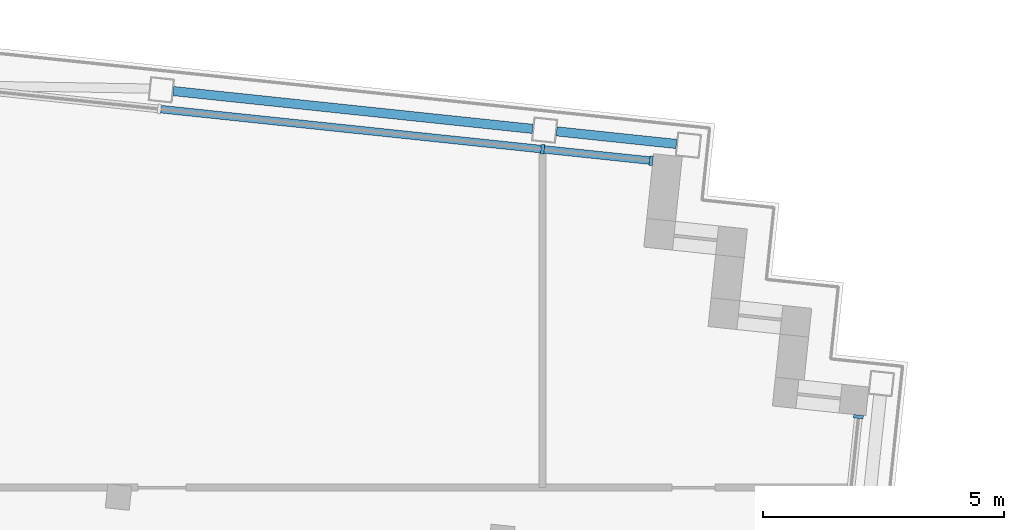
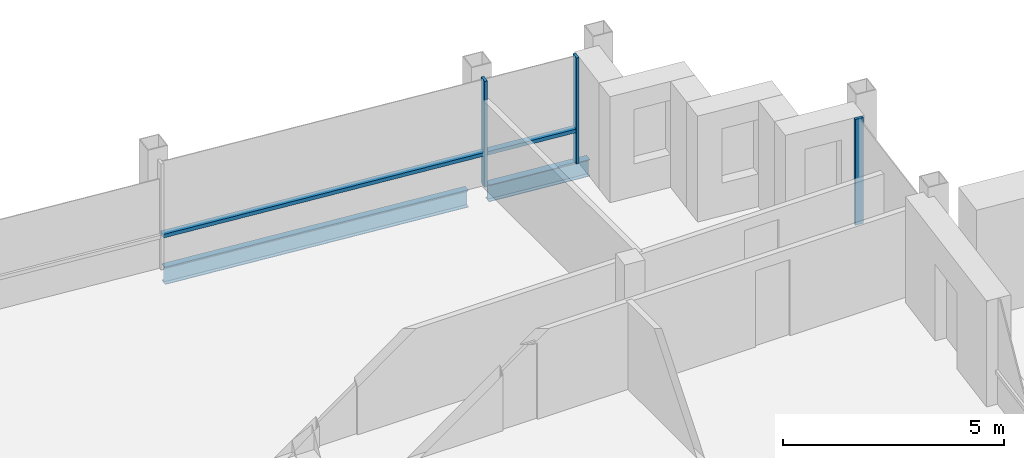
# One storey, part 6 of 16: 5 members, 2 beams, 2 elements without a shape of their own.
"""IFC4 building model written with IfcOpenShell, lengths in metres."""

from ifc_helpers import new_model, si_unit, direction, frame, origin, origin_2d, place, context, subcontext, project, spatial, rectangle, i_section, extrude, material, material_profile, profile_set, type_object, element, aggregate, save


model = new_model("IFC4")

# Units and contexts
model_context = context("Model", 3, precision=1e-05, world=origin(), true_north=direction((0.0, 1.0)))
body_context = subcontext(model_context, "Body", "Model", "MODEL_VIEW")
ifc_project = project(units=[si_unit("LENGTHUNIT", "METRE"), si_unit("AREAUNIT", "SQUARE_METRE"), si_unit("VOLUMEUNIT", "CUBIC_METRE"), si_unit("PLANEANGLEUNIT", "RADIAN"), si_unit("MASSUNIT", "GRAM", prefix="KILO")], contexts=[model_context])

# Site, building, storey
site_placement = place(None, origin())
site = spatial("IfcSite", under=ifc_project, at=site_placement, CompositionType="ELEMENT")
building_placement = place(site_placement, origin())
building = spatial("IfcBuilding", under=site, at=building_placement, Name="Vidyagriha Tower", CompositionType="ELEMENT")
storey_placement = place(building_placement, frame((0.0, 0.0, 272.300048828125)))
storey = spatial("IfcBuildingStorey", under=building, at=storey_placement, Name="L71", CompositionType="ELEMENT", Elevation=272.300048828125)

# Beams
ifc_material_1 = material(Name="Steel ASTM A992 Grade 50", Category="steel")
ifc_material_profile_1 = material_profile(ifc_material_1, i_section(OverallWidth=0.19189453125, OverallDepth=0.46240234375, WebThickness=0.010498046875, FlangeThickness=0.017578125, at=origin_2d()), Name="W18X60")
ifc_profile_set_1 = profile_set([ifc_material_profile_1], Name="Steel ASTM A992 Grade 50")
beam_type = type_object("IfcBeamType", Name="Edge beam W18X60", PredefinedType="SPANDREL", material=ifc_profile_set_1)
beam_1_placement = place(storey_placement, frame((18.130615234375, 19.472412109375, -0.51123046875), z_axis=(0.994519000353, -0.104556003834, 0.0), x_axis=(0.104556003834, 0.994519000353, 0.0)))
element("IfcBeam", 1, at=beam_1_placement, inside=storey, type_object=beam_type, Name="st-beam-L71-NE19", PredefinedType="SPANDREL", context=body_context, shape_type="SweptSolid", body=[
    extrude(i_section(OverallWidth=0.19189453125, OverallDepth=0.46240234375, WebThickness=0.010498046875, FlangeThickness=0.017578125, at=origin_2d()), origin(), (0.0, 0.0, 1.0), 7.5),
])
beam_2_placement = place(storey_placement, frame((26.0869140625, 18.635986328125, -0.51123046875), z_axis=(0.994524701544, -0.104501760842, 0.0), x_axis=(0.104501760842, 0.994524701544, 0.0)))
element("IfcBeam", 2, at=beam_2_placement, inside=storey, type_object=beam_type, Name="st-beam-L71-NE20", PredefinedType="SPANDREL", context=body_context, shape_type="SweptSolid", body=[
    extrude(i_section(OverallWidth=0.19189453125, OverallDepth=0.46240234375, WebThickness=0.010498046875, FlangeThickness=0.017578125, at=origin_2d()), origin(), (0.0, 0.0, 1.0), 2.499755859375),
])

# Curtain wall, members
ifc_material_2 = material(Name="Aluminium and glass curtain wall", Category="aluminium")
curtain_wall_type = type_object("IfcCurtainWallType", Name="Dwelling skin unitised curtain wall", PredefinedType="USERDEFINED", material=ifc_material_2)
curtain_wall_1_placement = place(storey_placement, origin())
curtain_wall_1 = element("IfcCurtainWall", 3, at=curtain_wall_1_placement, inside=storey, type_object=curtain_wall_type, Name="CW1 dwelling skin", ObjectType="UNITISED", PredefinedType="USERDEFINED")
ifc_material_3 = material(Name="Aluminium black anodised", Category="aluminium")
ifc_material_profile_2 = material_profile(ifc_material_3, rectangle(XDim=0.199951171875, YDim=0.070068359375, at=origin_2d()), Name="Mullion 70x200 black aluminium")
ifc_profile_set_2 = profile_set([ifc_material_profile_2], Name="Aluminium black anodised")
member_type_1 = type_object("IfcMemberType", Name="Mullion 70x200 black aluminium", PredefinedType="MULLION", material=ifc_profile_set_2)
member_1_placement = place(storey_placement, frame((28.049072265625, 18.027587890625, 0.0), z_axis=(0.0, 0.0, 1.0), x_axis=(-0.104528852722, -0.994521854435, 0.0)))
member_1 = element("IfcMember", 4, at=member_1_placement, type_object=member_type_1, Name="CW1 mullion 1", PredefinedType="MULLION", context=body_context, shape_type="SweptSolid", body=[
    extrude(rectangle(XDim=0.199951171875, YDim=0.070068359375, at=origin_2d()), origin(), (0.0, 0.0, 1.0), 2.919921875),
])
member_2_placement = place(storey_placement, frame((25.79638671875, 18.264404296875, 0.0), z_axis=(0.0, 0.0, 1.0), x_axis=(-0.104528852722, -0.994521854435, 0.0)))
member_2 = element("IfcMember", 5, at=member_2_placement, type_object=member_type_1, Name="CW1 mullion 2", PredefinedType="MULLION", context=body_context, shape_type="SweptSolid", body=[
    extrude(rectangle(XDim=0.199951171875, YDim=0.070068359375, at=origin_2d()), origin(), (0.0, 0.0, 1.0), 2.919921875),
])

# Curtain wall, member
curtain_wall_2_placement = place(storey_placement, origin())
curtain_wall_2 = element("IfcCurtainWall", 6, at=curtain_wall_2_placement, inside=storey, type_object=curtain_wall_type, Name="CW1 dwelling skin", ObjectType="UNITISED", PredefinedType="USERDEFINED")
member_3_placement = place(storey_placement, frame((32.35205078125, 12.713623046875, 0.0), z_axis=(0.0, 0.0, 1.0), x_axis=(-0.994523205451, 0.10451599791, 0.0)))
member_3 = element("IfcMember", 7, at=member_3_placement, type_object=member_type_1, Name="CW1 mullion 2", PredefinedType="MULLION", context=body_context, shape_type="SweptSolid", body=[
    extrude(rectangle(XDim=0.199951171875, YDim=0.070068359375, at=origin_2d()), origin(), (0.0, 0.0, 1.0), 2.919921875),
])
aggregate(curtain_wall_2, [member_3])

# Member
ifc_material_4 = material(Name="Aluminium black anodised", Category="aluminium")
ifc_material_profile_3 = material_profile(ifc_material_4, rectangle(XDim=0.159912109375, YDim=0.10009765625, at=origin_2d()), Name="Transom 100x160 black aluminium")
ifc_profile_set_3 = profile_set([ifc_material_profile_3], Name="Aluminium black anodised")
member_type_2 = type_object("IfcMemberType", Name="Transom 100x160 black aluminium", PredefinedType="USERDEFINED", material=ifc_profile_set_3)
member_4_placement = place(storey_placement, frame((28.01416015625, 18.03125, 0.89990234375), z_axis=(-0.994518853465, 0.104557400991, 0.0), x_axis=(-0.104557400991, -0.994518853465, 0.0)))
member_4 = element("IfcMember", 8, at=member_4_placement, type_object=member_type_2, Name="CW1 transom 1.1", ObjectType="TRANSOM", PredefinedType="USERDEFINED", context=body_context, shape_type="SweptSolid", body=[
    extrude(rectangle(XDim=0.159912109375, YDim=0.10009765625, at=origin_2d()), origin(), (0.0, 0.0, 1.0), 2.19482421875),
])

member_5_placement = place(storey_placement, frame((25.761474609375, 18.26806640625, 0.89990234375), z_axis=(-0.994522478205, 0.104522917794, 0.0), x_axis=(-0.104522917794, -0.994522478205, 0.0)))
member_5 = element("IfcMember", 9, at=member_5_placement, type_object=member_type_2, Name="CW1 transom 2.1", ObjectType="TRANSOM", PredefinedType="USERDEFINED", context=body_context, shape_type="SweptSolid", body=[
    extrude(rectangle(XDim=0.159912109375, YDim=0.10009765625, at=origin_2d()), origin(), (0.0, 0.0, 1.0), 7.929931640625),
])

aggregate(curtain_wall_1, [member_1, member_2, member_4, member_5])

save(model, "model.ifc")
